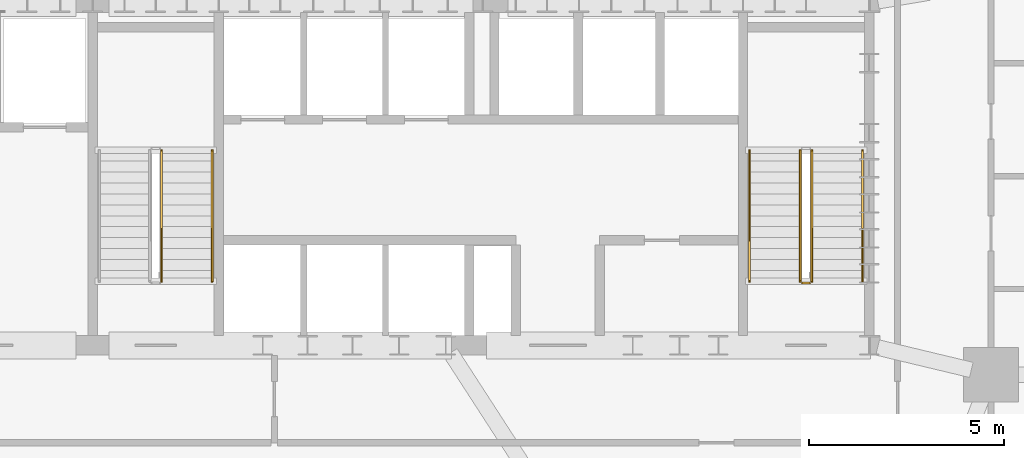
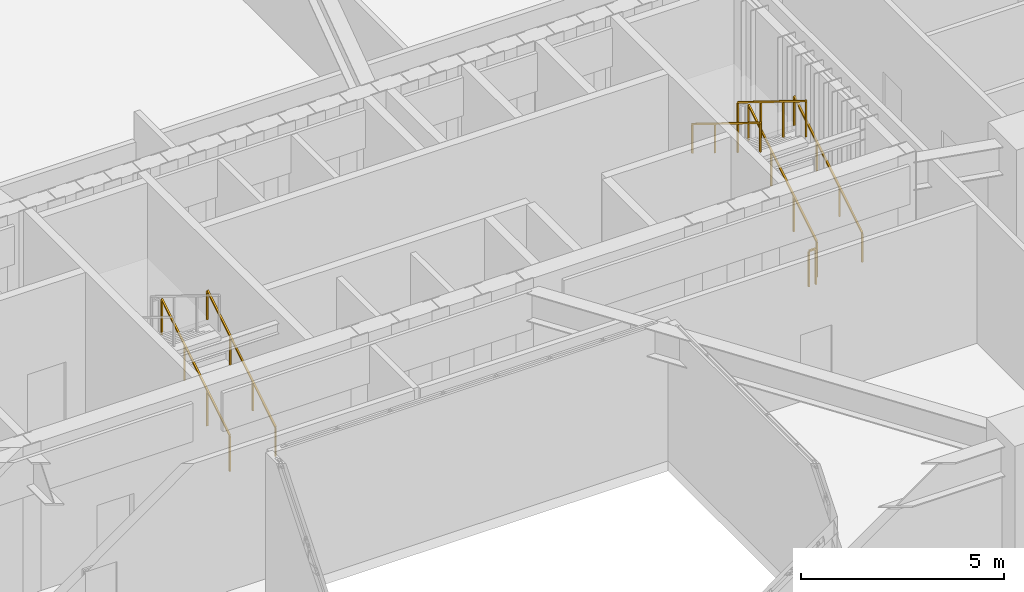
# One storey, part 22 of 25: 7 railings.
"""IFC4 building model written with IfcOpenShell, lengths in metres."""

from ifc_helpers import new_model, si_unit, direction, frame, origin, origin_2d, place, context, subcontext, project, spatial, rectangle, extrude, material, type_object, element, save


model = new_model("IFC4")

# Units and contexts
model_context = context("Model", 3, precision=1e-05, world=origin(), true_north=direction((0.0, 1.0)))
body_context = subcontext(model_context, "Body", "Model", "MODEL_VIEW")
ifc_project = project(units=[si_unit("LENGTHUNIT", "METRE"), si_unit("AREAUNIT", "SQUARE_METRE"), si_unit("VOLUMEUNIT", "CUBIC_METRE"), si_unit("PLANEANGLEUNIT", "RADIAN"), si_unit("MASSUNIT", "GRAM", prefix="KILO")], contexts=[model_context])

# Site, building, storey
site_placement = place(None, origin())
site = spatial("IfcSite", under=ifc_project, at=site_placement, CompositionType="ELEMENT")
building_placement = place(site_placement, origin())
building = spatial("IfcBuilding", under=site, at=building_placement, Name="Haldorwick Loom Tower", CompositionType="ELEMENT")
storey_placement = place(building_placement, frame((0.0, 0.0, 6.0)))
storey = spatial("IfcBuildingStorey", under=building, at=storey_placement, Name="L01", CompositionType="ELEMENT", Elevation=6.0)

# Railings
ifc_material = material(Name="Steel CSA G40.21 350W", Category="steel")
railing_type_1 = type_object("IfcRailingType", Name="ARC-RLG-GUARD112", PredefinedType="GUARDRAIL", material=ifc_material)
railing_1_placement = place(storey_placement, frame((48.60009765625, 28.39990234375, 0.173095703125)))
element("IfcRailing", 1, at=railing_1_placement, inside=storey, type_object=railing_type_1, Name="L01 ST-02 stair guard 1", PredefinedType="GUARDRAIL", context=body_context, shape_type="SweptSolid", body=[
    extrude(rectangle(XDim=0.048095703125, YDim=0.048095703125, at=origin_2d()), frame((0.0, 0.0, 1.076171875), z_axis=(0.0, 0.850623216509, 0.525775754039), x_axis=(-1.0, 0.0, 0.0)), (0.0, 0.0, 1.0), 3.9501953125),
    extrude(rectangle(XDim=0.0419921875, YDim=0.0419921875, at=origin_2d()), origin(), (0.0, 0.0, 1.0), 1.052001953125),
    extrude(rectangle(XDim=0.0419921875, YDim=0.0419921875, at=origin_2d()), frame((0.0, 1.1201171875, 0.6923828125)), (0.0, 0.0, 1.0), 1.052001953125),
    extrude(rectangle(XDim=0.0419921875, YDim=0.0419921875, at=origin_2d()), frame((0.0, 2.239990234375, 1.384521484375)), (0.0, 0.0, 1.0), 1.052001953125),
    extrude(rectangle(XDim=0.0419921875, YDim=0.0419921875, at=origin_2d()), frame((0.0, 3.360107421875, 2.076904296875)), (0.0, 0.0, 1.0), 1.052001953125),
])
railing_2_placement = place(storey_placement, frame((48.300048828125, 31.760009765625, 2.423095703125)))
element("IfcRailing", 2, at=railing_2_placement, inside=storey, type_object=railing_type_1, Name="L01 ST-02 stair guard 3", PredefinedType="GUARDRAIL", context=body_context, shape_type="SweptSolid", body=[
    extrude(rectangle(XDim=0.048095703125, YDim=0.048095703125, at=origin_2d()), frame((0.0, 0.0, 1.076171875), z_axis=(0.0, -0.850623216509, 0.525775754039), x_axis=(1.0, 0.0, 0.0)), (0.0, 0.0, 1.0), 3.9501953125),
    extrude(rectangle(XDim=0.0419921875, YDim=0.0419921875, at=origin_2d()), origin(), (0.0, 0.0, 1.0), 1.052001953125),
    extrude(rectangle(XDim=0.0419921875, YDim=0.0419921875, at=origin_2d()), frame((0.0, -1.1201171875, 0.6923828125)), (0.0, 0.0, 1.0), 1.052001953125),
    extrude(rectangle(XDim=0.0419921875, YDim=0.0419921875, at=origin_2d()), frame((0.0, -2.239990234375, 1.384521484375)), (0.0, 0.0, 1.0), 1.052001953125),
    extrude(rectangle(XDim=0.0419921875, YDim=0.0419921875, at=origin_2d()), frame((0.0, -3.360107421875, 2.076904296875)), (0.0, 0.0, 1.0), 1.052001953125),
])
railing_3_placement = place(storey_placement, frame((48.550048828125, 28.35009765625, 0.0)))
element("IfcRailing", 3, at=railing_3_placement, inside=storey, type_object=railing_type_1, Name="L01 ST-02 stair guard 4", PredefinedType="GUARDRAIL", context=body_context, shape_type="SweptSolid", body=[
    extrude(rectangle(XDim=0.048095703125, YDim=0.048095703125, at=origin_2d()), frame((0.0, 0.0, 1.076171875), z_axis=(-1.0, 0.0, 0.0), x_axis=(0.0, -1.0, 0.0)), (0.0, 0.0, 1.0), 0.199951171875),
    extrude(rectangle(XDim=0.0419921875, YDim=0.0419921875, at=origin_2d()), origin(), (0.0, 0.0, 1.0), 1.052001953125),
    extrude(rectangle(XDim=0.0419921875, YDim=0.0419921875, at=origin_2d()), frame((-0.199951171875, 0.0, 0.0)), (0.0, 0.0, 1.0), 1.052001953125),
])
railing_4_placement = place(storey_placement, frame((31.89990234375, 28.39990234375, 0.173095703125)))
element("IfcRailing", 4, at=railing_4_placement, inside=storey, type_object=railing_type_1, Name="L01 ST-03 stair guard 1", PredefinedType="GUARDRAIL", context=body_context, shape_type="SweptSolid", body=[
    extrude(rectangle(XDim=0.048095703125, YDim=0.048095703125, at=origin_2d()), frame((0.0, 0.0, 1.076171875), z_axis=(0.0, 0.850623216509, 0.525775754039), x_axis=(-1.0, 0.0, 0.0)), (0.0, 0.0, 1.0), 3.9501953125),
    extrude(rectangle(XDim=0.0419921875, YDim=0.0419921875, at=origin_2d()), origin(), (0.0, 0.0, 1.0), 1.052001953125),
    extrude(rectangle(XDim=0.0419921875, YDim=0.0419921875, at=origin_2d()), frame((0.0, 1.1201171875, 0.6923828125)), (0.0, 0.0, 1.0), 1.052001953125),
    extrude(rectangle(XDim=0.0419921875, YDim=0.0419921875, at=origin_2d()), frame((0.0, 2.239990234375, 1.384521484375)), (0.0, 0.0, 1.0), 1.052001953125),
    extrude(rectangle(XDim=0.0419921875, YDim=0.0419921875, at=origin_2d()), frame((0.0, 3.360107421875, 2.076904296875)), (0.0, 0.0, 1.0), 1.052001953125),
])
railing_type_2 = type_object("IfcRailingType", Name="ARC-RLG-HAND092", PredefinedType="HANDRAIL", material=ifc_material)
railing_5_placement = place(storey_placement, frame((49.89990234375, 28.39990234375, 0.173095703125)))
element("IfcRailing", 5, at=railing_5_placement, inside=storey, type_object=railing_type_2, Name="L01 ST-02 stair handrail 1", PredefinedType="HANDRAIL", context=body_context, shape_type="SweptSolid", body=[
    extrude(rectangle(XDim=0.048095703125, YDim=0.048095703125, at=origin_2d()), frame((0.0, 0.0, 0.8759765625), z_axis=(0.0, 0.850623216509, 0.525775754039), x_axis=(-1.0, 0.0, 0.0)), (0.0, 0.0, 1.0), 3.9501953125),
    extrude(rectangle(XDim=0.0419921875, YDim=0.0419921875, at=origin_2d()), origin(), (0.0, 0.0, 1.0), 0.851806640625),
    extrude(rectangle(XDim=0.0419921875, YDim=0.0419921875, at=origin_2d()), frame((0.0, 1.1201171875, 0.6923828125)), (0.0, 0.0, 1.0), 0.851806640625),
    extrude(rectangle(XDim=0.0419921875, YDim=0.0419921875, at=origin_2d()), frame((0.0, 2.239990234375, 1.384521484375)), (0.0, 0.0, 1.0), 0.851806640625),
    extrude(rectangle(XDim=0.0419921875, YDim=0.0419921875, at=origin_2d()), frame((0.0, 3.360107421875, 2.076904296875)), (0.0, 0.0, 1.0), 0.851806640625),
])
railing_6_placement = place(storey_placement, frame((47.0, 31.760009765625, 2.423095703125)))
element("IfcRailing", 6, at=railing_6_placement, inside=storey, type_object=railing_type_2, Name="L01 ST-02 stair handrail 2", PredefinedType="HANDRAIL", context=body_context, shape_type="SweptSolid", body=[
    extrude(rectangle(XDim=0.048095703125, YDim=0.048095703125, at=origin_2d()), frame((0.0, 0.0, 0.8759765625), z_axis=(0.0, -0.850623216509, 0.525775754039), x_axis=(1.0, 0.0, 0.0)), (0.0, 0.0, 1.0), 3.9501953125),
    extrude(rectangle(XDim=0.0419921875, YDim=0.0419921875, at=origin_2d()), origin(), (0.0, 0.0, 1.0), 0.851806640625),
    extrude(rectangle(XDim=0.0419921875, YDim=0.0419921875, at=origin_2d()), frame((0.0, -1.1201171875, 0.6923828125)), (0.0, 0.0, 1.0), 0.851806640625),
    extrude(rectangle(XDim=0.0419921875, YDim=0.0419921875, at=origin_2d()), frame((0.0, -2.239990234375, 1.384521484375)), (0.0, 0.0, 1.0), 0.851806640625),
    extrude(rectangle(XDim=0.0419921875, YDim=0.0419921875, at=origin_2d()), frame((0.0, -3.360107421875, 2.076904296875)), (0.0, 0.0, 1.0), 0.851806640625),
])
railing_7_placement = place(storey_placement, frame((33.199951171875, 28.39990234375, 0.173095703125)))
element("IfcRailing", 7, at=railing_7_placement, inside=storey, type_object=railing_type_2, Name="L01 ST-03 stair handrail 1", PredefinedType="HANDRAIL", context=body_context, shape_type="SweptSolid", body=[
    extrude(rectangle(XDim=0.048095703125, YDim=0.048095703125, at=origin_2d()), frame((0.0, 0.0, 0.8759765625), z_axis=(0.0, 0.850623216509, 0.525775754039), x_axis=(-1.0, 0.0, 0.0)), (0.0, 0.0, 1.0), 3.9501953125),
    extrude(rectangle(XDim=0.0419921875, YDim=0.0419921875, at=origin_2d()), origin(), (0.0, 0.0, 1.0), 0.851806640625),
    extrude(rectangle(XDim=0.0419921875, YDim=0.0419921875, at=origin_2d()), frame((0.0, 1.1201171875, 0.6923828125)), (0.0, 0.0, 1.0), 0.851806640625),
    extrude(rectangle(XDim=0.0419921875, YDim=0.0419921875, at=origin_2d()), frame((0.0, 2.239990234375, 1.384521484375)), (0.0, 0.0, 1.0), 0.851806640625),
    extrude(rectangle(XDim=0.0419921875, YDim=0.0419921875, at=origin_2d()), frame((0.0, 3.360107421875, 2.076904296875)), (0.0, 0.0, 1.0), 0.851806640625),
])

save(model, "model.ifc")
